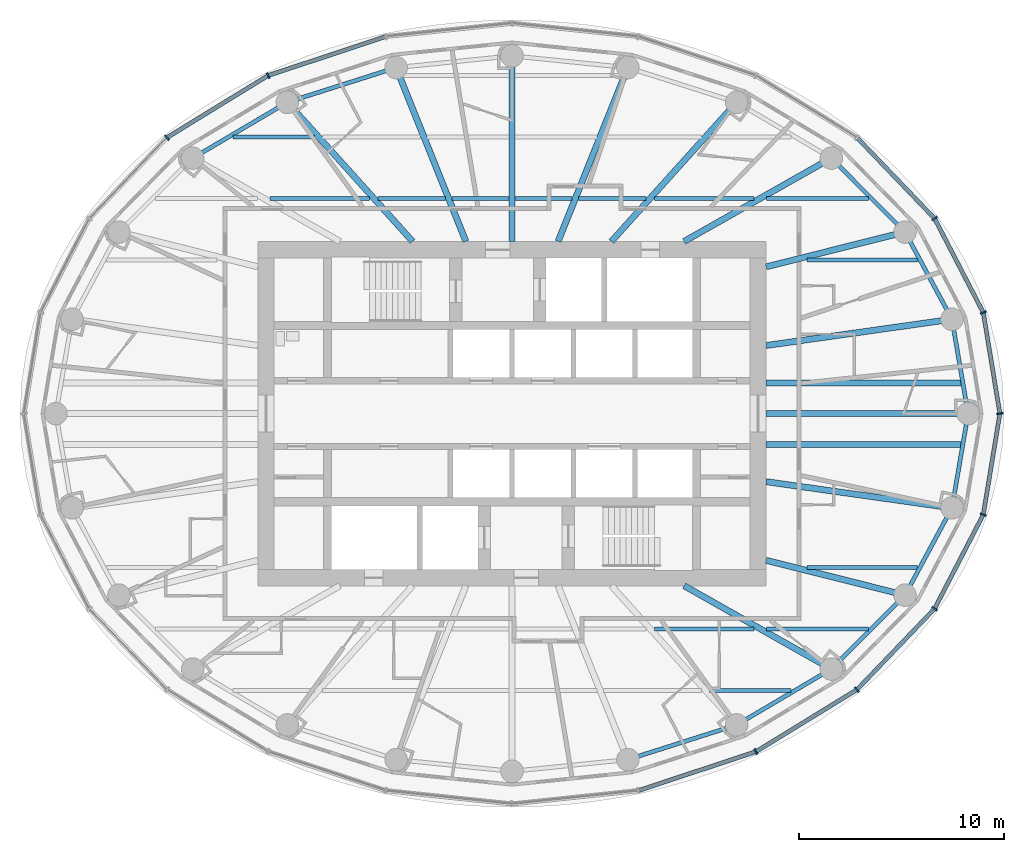
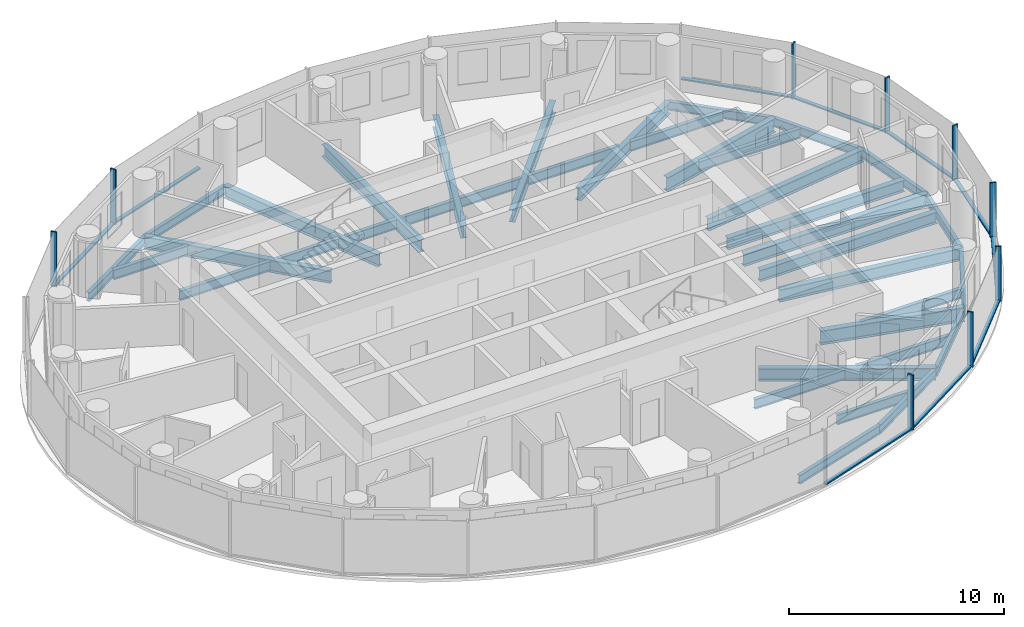
# One storey, part 3 of 14: 37 beams, 19 members, 3 elements without a shape of their own.
"""IFC4 building model written with IfcOpenShell, lengths in metres."""

from ifc_helpers import new_model, si_unit, direction, frame, origin, origin_2d, place, context, subcontext, project, spatial, rectangle, i_section, extrude, material, material_profile, profile_set, type_object, element, aggregate, save


model = new_model("IFC4")

# Units and contexts
model_context = context("Model", 3, precision=1e-05, world=origin(), true_north=direction((0.0, 1.0)))
body_context = subcontext(model_context, "Body", "Model", "MODEL_VIEW")
ifc_project = project(units=[si_unit("LENGTHUNIT", "METRE"), si_unit("AREAUNIT", "SQUARE_METRE"), si_unit("VOLUMEUNIT", "CUBIC_METRE"), si_unit("PLANEANGLEUNIT", "RADIAN"), si_unit("MASSUNIT", "GRAM", prefix="KILO")], contexts=[model_context])

# Site, building, storey
site_placement = place(None, origin())
site = spatial("IfcSite", under=ifc_project, at=site_placement, CompositionType="ELEMENT")
building_placement = place(site_placement, origin())
building = spatial("IfcBuilding", under=site, at=building_placement, Name="Hankou Lantern Tower", CompositionType="ELEMENT")
storey_placement = place(building_placement, frame((0.0, 0.0, 176.39990234375)))
storey = spatial("IfcBuildingStorey", under=building, at=storey_placement, Name="L47", CompositionType="ELEMENT", Elevation=176.39990234375)

# Beams
ifc_material_1 = material(Name="Steel Q355B", Category="steel")
ifc_material_profile_1 = material_profile(ifc_material_1, i_section(OverallWidth=0.199951171875, OverallDepth=0.5, WebThickness=0.010009765625, FlangeThickness=0.01611328125, FilletRadius=0.012939453125, at=origin_2d()), Name="HN500x200x10x16")
ifc_profile_set_1 = profile_set([ifc_material_profile_1], Name="Steel Q355B")
beam_type_1 = type_object("IfcBeamType", Name="EB5 RING BEAM HN500x200x10x16", PredefinedType="SPANDREL", material=ifc_profile_set_1)
beam_1_placement = place(storey_placement, frame((22.25, 0.0, -0.429931640625), z_axis=(-0.168680718946, 0.985670743735, 0.0), x_axis=(-0.985670743735, -0.168680718946, 0.0)))
element("IfcBeam", 1, at=beam_1_placement, inside=storey, type_object=beam_type_1, Name="Ring beam R01-R02 L47", PredefinedType="SPANDREL", context=body_context, shape_type="SweptSolid", body=[
    extrude(i_section(OverallWidth=0.199951171875, OverallDepth=0.5, WebThickness=0.010009765625, FlangeThickness=0.01611328125, FilletRadius=0.012939453125, at=origin_2d()), origin(), (0.0, 0.0, 1.0), 4.667724609375),
])
beam_2_placement = place(storey_placement, frame((21.462646484375, 4.600830078125, -0.429931640625), z_axis=(-0.474051612334, 0.880497057828, 0.0), x_axis=(-0.880497057828, -0.474051612334, 0.0)))
element("IfcBeam", 2, at=beam_2_placement, inside=storey, type_object=beam_type_1, Name="Ring beam R02-R03 L47", PredefinedType="SPANDREL", context=body_context, shape_type="SweptSolid", body=[
    extrude(i_section(OverallWidth=0.199951171875, OverallDepth=0.5, WebThickness=0.010009765625, FlangeThickness=0.01611328125, FilletRadius=0.012939453125, at=origin_2d()), origin(), (0.0, 0.0, 1.0), 4.831787109375),
])
beam_3_placement = place(storey_placement, frame((19.172119140625, 8.855224609375, -0.429931640625), z_axis=(-0.706147278092, 0.708064984054, 0.0), x_axis=(-0.708064984054, -0.706147278092, 0.0)))
element("IfcBeam", 3, at=beam_3_placement, inside=storey, type_object=beam_type_1, Name="Ring beam R03-R04 L47", PredefinedType="SPANDREL", context=body_context, shape_type="SweptSolid", body=[
    extrude(i_section(OverallWidth=0.199951171875, OverallDepth=0.5, WebThickness=0.010009765625, FlangeThickness=0.01611328125, FilletRadius=0.012939453125, at=origin_2d()), origin(), (0.0, 0.0, 1.0), 5.09228515625),
])
beam_4_placement = place(storey_placement, frame((-5.65283203125, 16.87744140625, -0.429931640625), z_axis=(-0.952790404271, -0.30362879562, 0.0), x_axis=(0.30362879562, -0.952790404271, 0.0)))
element("IfcBeam", 4, at=beam_4_placement, inside=storey, type_object=beam_type_1, Name="Ring beam R08-R09 L47", PredefinedType="SPANDREL", context=body_context, shape_type="SweptSolid", body=[
    extrude(i_section(OverallWidth=0.199951171875, OverallDepth=0.5, WebThickness=0.010009765625, FlangeThickness=0.01611328125, FilletRadius=0.012939453125, at=origin_2d()), origin(), (0.0, 0.0, 1.0), 5.56982421875),
])
beam_5_placement = place(storey_placement, frame((-10.959716796875, 15.186279296875, -0.429931640625), z_axis=(-0.861135888339, -0.508374843806, 0.0), x_axis=(0.508374843806, -0.861135888339, 0.0)))
element("IfcBeam", 5, at=beam_5_placement, inside=storey, type_object=beam_type_1, Name="Ring beam R09-R10 L47", PredefinedType="SPANDREL", context=body_context, shape_type="SweptSolid", body=[
    extrude(i_section(OverallWidth=0.199951171875, OverallDepth=0.5, WebThickness=0.010009765625, FlangeThickness=0.01611328125, FilletRadius=0.012939453125, at=origin_2d()), origin(), (0.0, 0.0, 1.0), 5.36083984375),
])
beam_6_placement = place(storey_placement, frame((5.65283203125, -16.87744140625, -0.429931640625), z_axis=(0.952790404271, 0.30362879562, 0.0), x_axis=(-0.30362879562, 0.952790404271, 0.0)))
element("IfcBeam", 6, at=beam_6_placement, inside=storey, type_object=beam_type_1, Name="Ring beam R20-R21 L47", PredefinedType="SPANDREL", context=body_context, shape_type="SweptSolid", body=[
    extrude(i_section(OverallWidth=0.199951171875, OverallDepth=0.5, WebThickness=0.010009765625, FlangeThickness=0.01611328125, FilletRadius=0.012939453125, at=origin_2d()), origin(), (0.0, 0.0, 1.0), 5.56982421875),
])
beam_7_placement = place(storey_placement, frame((10.959716796875, -15.186279296875, -0.429931640625), z_axis=(0.861135888339, 0.508374843806, 0.0), x_axis=(-0.508374843806, 0.861135888339, 0.0)))
element("IfcBeam", 7, at=beam_7_placement, inside=storey, type_object=beam_type_1, Name="Ring beam R21-R22 L47", PredefinedType="SPANDREL", context=body_context, shape_type="SweptSolid", body=[
    extrude(i_section(OverallWidth=0.199951171875, OverallDepth=0.5, WebThickness=0.010009765625, FlangeThickness=0.01611328125, FilletRadius=0.012939453125, at=origin_2d()), origin(), (0.0, 0.0, 1.0), 5.36083984375),
])
beam_8_placement = place(storey_placement, frame((15.576171875, -12.4609375, -0.429931640625), z_axis=(0.706147278092, 0.708064984054, 0.0), x_axis=(-0.708064984054, 0.706147278092, 0.0)))
element("IfcBeam", 8, at=beam_8_placement, inside=storey, type_object=beam_type_1, Name="Ring beam R22-R23 L47", PredefinedType="SPANDREL", context=body_context, shape_type="SweptSolid", body=[
    extrude(i_section(OverallWidth=0.199951171875, OverallDepth=0.5, WebThickness=0.010009765625, FlangeThickness=0.01611328125, FilletRadius=0.012939453125, at=origin_2d()), origin(), (0.0, 0.0, 1.0), 5.09228515625),
])
beam_9_placement = place(storey_placement, frame((19.172119140625, -8.855224609375, -0.429931640625), z_axis=(0.474051612334, 0.880497057828, 0.0), x_axis=(-0.880497057828, 0.474051612334, 0.0)))
element("IfcBeam", 9, at=beam_9_placement, inside=storey, type_object=beam_type_1, Name="Ring beam R23-R24 L47", PredefinedType="SPANDREL", context=body_context, shape_type="SweptSolid", body=[
    extrude(i_section(OverallWidth=0.199951171875, OverallDepth=0.5, WebThickness=0.010009765625, FlangeThickness=0.01611328125, FilletRadius=0.012939453125, at=origin_2d()), origin(), (0.0, 0.0, 1.0), 4.831787109375),
])
beam_10_placement = place(storey_placement, frame((21.462646484375, -4.600830078125, -0.429931640625), z_axis=(0.168680718946, 0.985670743735, 0.0), x_axis=(-0.985670743735, 0.168680718946, 0.0)))
element("IfcBeam", 10, at=beam_10_placement, inside=storey, type_object=beam_type_1, Name="Ring beam R24-R01 L47", PredefinedType="SPANDREL", context=body_context, shape_type="SweptSolid", body=[
    extrude(i_section(OverallWidth=0.199951171875, OverallDepth=0.5, WebThickness=0.010009765625, FlangeThickness=0.01611328125, FilletRadius=0.012939453125, at=origin_2d()), origin(), (0.0, 0.0, 1.0), 4.667724609375),
])

# Curtain wall, members
ifc_material_2 = material(Name="Glass, dark grey tinted laminated", Category="glass")
curtain_wall_type = type_object("IfcCurtainWallType", Name="CWC OUTER SKIN HIGH-RISE", PredefinedType="USERDEFINED", material=ifc_material_2)
curtain_wall_1_placement = place(storey_placement, origin())
curtain_wall_1 = element("IfcCurtainWall", 11, at=curtain_wall_1_placement, inside=storey, type_object=curtain_wall_type, Name="CWC L47 OS1", ObjectType="OUTER SKIN HIGH-RISE", PredefinedType="USERDEFINED")
ifc_material_3 = material(Name="Aluminium, black anodised", Category="aluminium")
ifc_material_profile_2 = material_profile(ifc_material_3, rectangle(XDim=0.080078125, YDim=0.300048828125, at=origin_2d()), Name="MU1 80X300")
ifc_profile_set_2 = profile_set([ifc_material_profile_2], Name="Aluminium, black anodised")
member_type_1 = type_object("IfcMemberType", Name="MU1 OUTER SKIN MULLION 80X300", PredefinedType="MULLION", material=ifc_profile_set_2)
member_1_placement = place(storey_placement, frame((23.800048828125, 0.0, 0.0), z_axis=(0.0, 0.0, 1.0), x_axis=(-0.162381515188, 0.986728049427, 0.0)))
member_1 = element("IfcMember", 12, at=member_1_placement, type_object=member_type_1, Name="CWC mullion 1", PredefinedType="MULLION", context=body_context, shape_type="SweptSolid", body=[
    extrude(rectangle(XDim=0.080078125, YDim=0.300048828125, at=origin_2d()), origin(), (0.0, 0.0, 1.0), 3.1201171875),
])
member_2_placement = place(storey_placement, frame((22.989013671875, 4.927978515625, 0.0), z_axis=(0.0, 0.0, 1.0), x_axis=(-0.317595577365, 0.94822626479, 0.0)))
member_2 = element("IfcMember", 13, at=member_2_placement, type_object=member_type_1, Name="CWC mullion 2", PredefinedType="MULLION", context=body_context, shape_type="SweptSolid", body=[
    extrude(rectangle(XDim=0.080078125, YDim=0.300048828125, at=origin_2d()), origin(), (0.0, 0.0, 1.0), 3.1201171875),
])
member_3_placement = place(storey_placement, frame((20.611328125, 9.52001953125, 0.0), z_axis=(0.0, 0.0, 1.0), x_axis=(-0.585205735974, 0.810884854084, 0.0)))
member_3 = element("IfcMember", 14, at=member_3_placement, type_object=member_type_1, Name="CWC mullion 3", PredefinedType="MULLION", context=body_context, shape_type="SweptSolid", body=[
    extrude(rectangle(XDim=0.080078125, YDim=0.300048828125, at=origin_2d()), origin(), (0.0, 0.0, 1.0), 3.1201171875),
])

curtain_wall_2_placement = place(storey_placement, origin())
curtain_wall_2 = element("IfcCurtainWall", 15, at=curtain_wall_2_placement, inside=storey, type_object=curtain_wall_type, Name="CWC L47 OS2", ObjectType="OUTER SKIN HIGH-RISE", PredefinedType="USERDEFINED")
member_4_placement = place(storey_placement, frame((-11.89990234375, 16.489013671875, 0.0), z_axis=(0.0, 0.0, 1.0), x_axis=(-0.907841299004, -0.419313934686, 0.0)))
member_4 = element("IfcMember", 16, at=member_4_placement, type_object=member_type_1, Name="CWC mullion 3", PredefinedType="MULLION", context=body_context, shape_type="SweptSolid", body=[
    extrude(rectangle(XDim=0.080078125, YDim=0.300048828125, at=origin_2d()), origin(), (0.0, 0.0, 1.0), 3.1201171875),
])
member_5_placement = place(storey_placement, frame((-16.8291015625, 13.46337890625, 0.0), z_axis=(0.0, 0.0, 1.0), x_axis=(-0.780868809444, -0.624695047553, 0.0)))
member_5 = element("IfcMember", 17, at=member_5_placement, type_object=member_type_1, Name="CWC mullion 4", PredefinedType="MULLION", context=body_context, shape_type="SweptSolid", body=[
    extrude(rectangle(XDim=0.080078125, YDim=0.300048828125, at=origin_2d()), origin(), (0.0, 0.0, 1.0), 3.1201171875),
])

curtain_wall_3_placement = place(storey_placement, origin())
curtain_wall_3 = element("IfcCurtainWall", 18, at=curtain_wall_3_placement, inside=storey, type_object=curtain_wall_type, Name="CWC L47 OS4", ObjectType="OUTER SKIN HIGH-RISE", PredefinedType="USERDEFINED")
member_6_placement = place(storey_placement, frame((11.89990234375, -16.489013671875, 0.0), z_axis=(0.0, 0.0, 1.0), x_axis=(0.907841299004, 0.419313934686, 0.0)))
member_6 = element("IfcMember", 19, at=member_6_placement, type_object=member_type_1, Name="CWC mullion 3", PredefinedType="MULLION", context=body_context, shape_type="SweptSolid", body=[
    extrude(rectangle(XDim=0.080078125, YDim=0.300048828125, at=origin_2d()), origin(), (0.0, 0.0, 1.0), 3.1201171875),
])
member_7_placement = place(storey_placement, frame((16.8291015625, -13.46337890625, 0.0), z_axis=(0.0, 0.0, 1.0), x_axis=(0.780868809444, 0.624695047553, 0.0)))
member_7 = element("IfcMember", 20, at=member_7_placement, type_object=member_type_1, Name="CWC mullion 4", PredefinedType="MULLION", context=body_context, shape_type="SweptSolid", body=[
    extrude(rectangle(XDim=0.080078125, YDim=0.300048828125, at=origin_2d()), origin(), (0.0, 0.0, 1.0), 3.1201171875),
])
member_8_placement = place(storey_placement, frame((20.611328125, -9.52001953125, 0.0), z_axis=(0.0, 0.0, 1.0), x_axis=(0.585205735974, 0.810884854084, 0.0)))
member_8 = element("IfcMember", 21, at=member_8_placement, type_object=member_type_1, Name="CWC mullion 5", PredefinedType="MULLION", context=body_context, shape_type="SweptSolid", body=[
    extrude(rectangle(XDim=0.080078125, YDim=0.300048828125, at=origin_2d()), origin(), (0.0, 0.0, 1.0), 3.1201171875),
])
member_9_placement = place(storey_placement, frame((22.989013671875, -4.927978515625, 0.0), z_axis=(0.0, 0.0, 1.0), x_axis=(0.317595577365, 0.94822626479, 0.0)))
member_9 = element("IfcMember", 22, at=member_9_placement, type_object=member_type_1, Name="CWC mullion 6", PredefinedType="MULLION", context=body_context, shape_type="SweptSolid", body=[
    extrude(rectangle(XDim=0.080078125, YDim=0.300048828125, at=origin_2d()), origin(), (0.0, 0.0, 1.0), 3.1201171875),
])

# Beams
ifc_material_4 = material(Name="Steel Q355B", Category="steel")
ifc_material_profile_3 = material_profile(ifc_material_4, i_section(OverallWidth=0.300048828125, OverallDepth=0.800048828125, WebThickness=0.013916015625, FlangeThickness=0.02587890625, FilletRadius=0.01806640625, at=origin_2d()), Name="HN800x300x14x26")
ifc_profile_set_3 = profile_set([ifc_material_profile_3], Name="Steel Q355B")
beam_type_2 = type_object("IfcBeamType", Name="RB11 RADIAL BEAM HN800x300x14x26", PredefinedType="BEAM", material=ifc_profile_set_3)
for number, where, z_axis, x_axis, name in (
    (23, (12.39990234375, 7.1591796875, -0.579833984375), (0.970041619568, 0.242938791274, 0.0), (-0.242938791274, 0.970041619568, 0.0), "Radial beam R03 L47"),
    (24, (12.39990234375, -7.1591796875, -0.579833984375), (0.970041619568, -0.242938791274, 0.0), (0.242938791274, 0.970041619568, 0.0), "Radial beam R23 L47"),
):
    element("IfcBeam", number, at=place(storey_placement, frame(where, z_axis=z_axis, x_axis=x_axis)), inside=storey, type_object=beam_type_2, Name=name, PredefinedType="BEAM", context=body_context, shape_type="SweptSolid", body=[
        extrude(i_section(OverallWidth=0.300048828125, OverallDepth=0.800048828125, WebThickness=0.013916015625, FlangeThickness=0.02587890625, FilletRadius=0.01806640625, at=origin_2d()), origin(), (0.0, 0.0, 1.0), 6.9814453125),
    ])
ifc_material_5 = material(Name="Steel Q355B", Category="steel")
ifc_material_profile_4 = material_profile(ifc_material_5, i_section(OverallWidth=0.300048828125, OverallDepth=0.699951171875, WebThickness=0.012939453125, FlangeThickness=0.02392578125, FilletRadius=0.01806640625, at=origin_2d()), Name="HN700x300x13x24")
ifc_profile_set_4 = profile_set([ifc_material_profile_4], Name="Steel Q355B")
beam_type_3 = type_object("IfcBeamType", Name="RB9 RADIAL BEAM HN700x300x13x24", PredefinedType="BEAM", material=ifc_profile_set_4)
beam_11_placement = place(storey_placement, frame((12.39990234375, 0.0, -0.52978515625), z_axis=(1.0, 0.0, 0.0), x_axis=(0.0, 1.0, 0.0)))
element("IfcBeam", 25, at=beam_11_placement, inside=storey, type_object=beam_type_3, Name="Radial beam R01 L47", PredefinedType="BEAM", context=body_context, shape_type="SweptSolid", body=[
    extrude(i_section(OverallWidth=0.300048828125, OverallDepth=0.699951171875, WebThickness=0.012939453125, FlangeThickness=0.02392578125, FilletRadius=0.01806640625, at=origin_2d()), origin(), (0.0, 0.0, 1.0), 9.85009765625),
])
beam_12_placement = place(storey_placement, frame((12.39990234375, 3.322509765625, -0.52978515625), z_axis=(0.990198154617, 0.13966966239, 0.0), x_axis=(-0.13966966239, 0.990198154617, 0.0)))
element("IfcBeam", 26, at=beam_12_placement, inside=storey, type_object=beam_type_3, Name="Radial beam R02 L47", PredefinedType="BEAM", context=body_context, shape_type="SweptSolid", body=[
    extrude(i_section(OverallWidth=0.300048828125, OverallDepth=0.699951171875, WebThickness=0.012939453125, FlangeThickness=0.02392578125, FilletRadius=0.01806640625, at=origin_2d()), origin(), (0.0, 0.0, 1.0), 9.15234375),
])
beam_13_placement = place(storey_placement, frame((8.39990234375, 8.39990234375, -0.52978515625), z_axis=(0.870309058024, 0.492505983234, 0.0), x_axis=(-0.492505983234, 0.870309058024, 0.0)))
element("IfcBeam", 27, at=beam_13_placement, inside=storey, type_object=beam_type_3, Name="Radial beam R04 L47", PredefinedType="BEAM", context=body_context, shape_type="SweptSolid", body=[
    extrude(i_section(OverallWidth=0.300048828125, OverallDepth=0.699951171875, WebThickness=0.012939453125, FlangeThickness=0.02392578125, FilletRadius=0.01806640625, at=origin_2d()), origin(), (0.0, 0.0, 1.0), 8.24560546875),
])
beam_14_placement = place(storey_placement, frame((4.849853515625, 8.39990234375, -0.52978515625), z_axis=(0.669093231314, 0.743178476418, 0.0), x_axis=(-0.743178476418, 0.669093231314, 0.0)))
element("IfcBeam", 28, at=beam_14_placement, inside=storey, type_object=beam_type_3, Name="Radial beam R05 L47", PredefinedType="BEAM", context=body_context, shape_type="SweptSolid", body=[
    extrude(i_section(OverallWidth=0.300048828125, OverallDepth=0.699951171875, WebThickness=0.012939453125, FlangeThickness=0.02392578125, FilletRadius=0.01806640625, at=origin_2d()), origin(), (0.0, 0.0, 1.0), 9.131591796875),
])
beam_15_placement = place(storey_placement, frame((2.250732421875, 8.39990234375, -0.52978515625), z_axis=(0.372436468133, 0.928057690666, 0.0), x_axis=(-0.928057690666, 0.372436468133, 0.0)))
element("IfcBeam", 29, at=beam_15_placement, inside=storey, type_object=beam_type_3, Name="Radial beam R06 L47", PredefinedType="BEAM", context=body_context, shape_type="SweptSolid", body=[
    extrude(i_section(OverallWidth=0.300048828125, OverallDepth=0.699951171875, WebThickness=0.012939453125, FlangeThickness=0.02392578125, FilletRadius=0.01806640625, at=origin_2d()), origin(), (0.0, 0.0, 1.0), 9.134765625),
])
beam_16_placement = place(storey_placement, frame((0.0, 8.39990234375, -0.52978515625), z_axis=(0.0, 1.0, 0.0), x_axis=(-1.0, 0.0, 0.0)))
element("IfcBeam", 30, at=beam_16_placement, inside=storey, type_object=beam_type_3, Name="Radial beam R07 L47", PredefinedType="BEAM", context=body_context, shape_type="SweptSolid", body=[
    extrude(i_section(OverallWidth=0.300048828125, OverallDepth=0.699951171875, WebThickness=0.012939453125, FlangeThickness=0.02392578125, FilletRadius=0.01806640625, at=origin_2d()), origin(), (0.0, 0.0, 1.0), 9.050048828125),
])
beam_17_placement = place(storey_placement, frame((-2.250732421875, 8.39990234375, -0.52978515625), z_axis=(-0.372436468133, 0.928057690666, 0.0), x_axis=(-0.928057690666, -0.372436468133, 0.0)))
element("IfcBeam", 31, at=beam_17_placement, inside=storey, type_object=beam_type_3, Name="Radial beam R08 L47", PredefinedType="BEAM", context=body_context, shape_type="SweptSolid", body=[
    extrude(i_section(OverallWidth=0.300048828125, OverallDepth=0.699951171875, WebThickness=0.012939453125, FlangeThickness=0.02392578125, FilletRadius=0.01806640625, at=origin_2d()), origin(), (0.0, 0.0, 1.0), 9.134765625),
])
beam_18_placement = place(storey_placement, frame((-4.849853515625, 8.39990234375, -0.52978515625), z_axis=(-0.669093231314, 0.743178476418, 0.0), x_axis=(-0.743178476418, -0.669093231314, 0.0)))
element("IfcBeam", 32, at=beam_18_placement, inside=storey, type_object=beam_type_3, Name="Radial beam R09 L47", PredefinedType="BEAM", context=body_context, shape_type="SweptSolid", body=[
    extrude(i_section(OverallWidth=0.300048828125, OverallDepth=0.699951171875, WebThickness=0.012939453125, FlangeThickness=0.02392578125, FilletRadius=0.01806640625, at=origin_2d()), origin(), (0.0, 0.0, 1.0), 9.131591796875),
])
beam_19_placement = place(storey_placement, frame((8.39990234375, -8.39990234375, -0.52978515625), z_axis=(0.870309058024, -0.492505983234, 0.0), x_axis=(0.492505983234, 0.870309058024, 0.0)))
element("IfcBeam", 33, at=beam_19_placement, inside=storey, type_object=beam_type_3, Name="Radial beam R22 L47", PredefinedType="BEAM", context=body_context, shape_type="SweptSolid", body=[
    extrude(i_section(OverallWidth=0.300048828125, OverallDepth=0.699951171875, WebThickness=0.012939453125, FlangeThickness=0.02392578125, FilletRadius=0.01806640625, at=origin_2d()), origin(), (0.0, 0.0, 1.0), 8.24560546875),
])
beam_20_placement = place(storey_placement, frame((12.39990234375, -3.322509765625, -0.52978515625), z_axis=(0.990198154617, -0.13966966239, 0.0), x_axis=(0.13966966239, 0.990198154617, 0.0)))
element("IfcBeam", 34, at=beam_20_placement, inside=storey, type_object=beam_type_3, Name="Radial beam R24 L47", PredefinedType="BEAM", context=body_context, shape_type="SweptSolid", body=[
    extrude(i_section(OverallWidth=0.300048828125, OverallDepth=0.699951171875, WebThickness=0.012939453125, FlangeThickness=0.02392578125, FilletRadius=0.01806640625, at=origin_2d()), origin(), (0.0, 0.0, 1.0), 9.15234375),
])
ifc_material_6 = material(Name="Steel Q355B", Category="steel")
ifc_material_profile_5 = material_profile(ifc_material_6, i_section(OverallWidth=0.199951171875, OverallDepth=0.550048828125, WebThickness=0.010009765625, FlangeThickness=0.01611328125, FilletRadius=0.012939453125, at=origin_2d()), Name="HN550x200x10x16")
ifc_profile_set_5 = profile_set([ifc_material_profile_5], Name="Steel Q355B")
beam_type_4 = type_object("IfcBeamType", Name="SB6 SECONDARY BEAM HN550x200x10x16", PredefinedType="JOIST", material=ifc_profile_set_5)
beam_21_placement = place(storey_placement, frame((9.643310546875, -13.5, -0.454833984375), z_axis=(1.0, 0.0, 0.0), x_axis=(0.0, 1.0, 0.0)))
element("IfcBeam", 35, at=beam_21_placement, inside=storey, type_object=beam_type_4, Name="Floor joist J006 L47", PredefinedType="JOIST", context=body_context, shape_type="SweptSolid", body=[
    extrude(i_section(OverallWidth=0.199951171875, OverallDepth=0.550048828125, WebThickness=0.010009765625, FlangeThickness=0.01611328125, FilletRadius=0.012939453125, at=origin_2d()), origin(), (0.0, 0.0, 1.0), 3.97607421875),
])
beam_22_placement = place(storey_placement, frame((6.9423828125, -10.5, -0.454833984375), z_axis=(1.0, 0.0, 0.0), x_axis=(0.0, 1.0, 0.0)))
element("IfcBeam", 36, at=beam_22_placement, inside=storey, type_object=beam_type_4, Name="Floor joist J013 L47", PredefinedType="JOIST", context=body_context, shape_type="SweptSolid", body=[
    extrude(i_section(OverallWidth=0.199951171875, OverallDepth=0.550048828125, WebThickness=0.010009765625, FlangeThickness=0.01611328125, FilletRadius=0.012939453125, at=origin_2d()), origin(), (0.0, 0.0, 1.0), 4.864013671875),
])
beam_23_placement = place(storey_placement, frame((12.41552734375, -10.5, -0.454833984375), z_axis=(1.0, 0.0, 0.0), x_axis=(0.0, 1.0, 0.0)))
element("IfcBeam", 37, at=beam_23_placement, inside=storey, type_object=beam_type_4, Name="Floor joist J014 L47", PredefinedType="JOIST", context=body_context, shape_type="SweptSolid", body=[
    extrude(i_section(OverallWidth=0.199951171875, OverallDepth=0.550048828125, WebThickness=0.010009765625, FlangeThickness=0.01611328125, FilletRadius=0.012939453125, at=origin_2d()), origin(), (0.0, 0.0, 1.0), 4.97509765625),
])
for number, where, z_axis, x_axis, name in (
    (38, (14.37841796875, -7.5, -0.454833984375), (1.0, 0.0, 0.0), (0.0, 1.0, 0.0), "Floor joist J016 L47"),
    (39, (14.37841796875, 7.5, -0.454833984375), (1.0, 0.0, 0.0), (0.0, 1.0, 0.0), "Floor joist J026 L47"),
):
    element("IfcBeam", number, at=place(storey_placement, frame(where, z_axis=z_axis, x_axis=x_axis)), inside=storey, type_object=beam_type_4, Name=name, PredefinedType="JOIST", context=body_context, shape_type="SweptSolid", body=[
        extrude(i_section(OverallWidth=0.199951171875, OverallDepth=0.550048828125, WebThickness=0.010009765625, FlangeThickness=0.01611328125, FilletRadius=0.012939453125, at=origin_2d()), origin(), (0.0, 0.0, 1.0), 5.409912109375),
    ])
beam_24_placement = place(storey_placement, frame((-11.806396484375, 10.5, -0.454833984375), z_axis=(1.0, 0.0, 0.0), x_axis=(0.0, 1.0, 0.0)))
element("IfcBeam", 40, at=beam_24_placement, inside=storey, type_object=beam_type_4, Name="Floor joist J028 L47", PredefinedType="JOIST", context=body_context, shape_type="SweptSolid", body=[
    extrude(i_section(OverallWidth=0.199951171875, OverallDepth=0.550048828125, WebThickness=0.010009765625, FlangeThickness=0.01611328125, FilletRadius=0.012939453125, at=origin_2d()), origin(), (0.0, 0.0, 1.0), 4.864013671875),
])
beam_25_placement = place(storey_placement, frame((-6.53857421875, 10.5, -0.454833984375), z_axis=(1.0, 0.0, 0.0), x_axis=(0.0, 1.0, 0.0)))
element("IfcBeam", 41, at=beam_25_placement, inside=storey, type_object=beam_type_4, Name="Floor joist J029 L47", PredefinedType="JOIST", context=body_context, shape_type="SweptSolid", body=[
    extrude(i_section(OverallWidth=0.199951171875, OverallDepth=0.550048828125, WebThickness=0.010009765625, FlangeThickness=0.01611328125, FilletRadius=0.012939453125, at=origin_2d()), origin(), (0.0, 0.0, 1.0), 3.283447265625),
])
for number, where, z_axis, x_axis, name in (
    (42, (-2.931884765625, 10.5, -0.454833984375), (1.0, 0.0, 0.0), (0.0, 1.0, 0.0), "Floor joist J030 L47"),
    (43, (0.14990234375, 10.5, -0.454833984375), (1.0, 0.0, 0.0), (0.0, 1.0, 0.0), "Floor joist J031 L47"),
):
    element("IfcBeam", number, at=place(storey_placement, frame(where, z_axis=z_axis, x_axis=x_axis)), inside=storey, type_object=beam_type_4, Name=name, PredefinedType="JOIST", context=body_context, shape_type="SweptSolid", body=[
        extrude(i_section(OverallWidth=0.199951171875, OverallDepth=0.550048828125, WebThickness=0.010009765625, FlangeThickness=0.01611328125, FilletRadius=0.012939453125, at=origin_2d()), origin(), (0.0, 0.0, 1.0), 2.781982421875),
    ])
beam_26_placement = place(storey_placement, frame((3.255126953125, 10.5, -0.454833984375), z_axis=(1.0, 0.0, 0.0), x_axis=(0.0, 1.0, 0.0)))
element("IfcBeam", 44, at=beam_26_placement, inside=storey, type_object=beam_type_4, Name="Floor joist J032 L47", PredefinedType="JOIST", context=body_context, shape_type="SweptSolid", body=[
    extrude(i_section(OverallWidth=0.199951171875, OverallDepth=0.550048828125, WebThickness=0.010009765625, FlangeThickness=0.01611328125, FilletRadius=0.012939453125, at=origin_2d()), origin(), (0.0, 0.0, 1.0), 3.283447265625),
])
beam_27_placement = place(storey_placement, frame((6.9423828125, 10.5, -0.454833984375), z_axis=(1.0, 0.0, 0.0), x_axis=(0.0, 1.0, 0.0)))
element("IfcBeam", 45, at=beam_27_placement, inside=storey, type_object=beam_type_4, Name="Floor joist J033 L47", PredefinedType="JOIST", context=body_context, shape_type="SweptSolid", body=[
    extrude(i_section(OverallWidth=0.199951171875, OverallDepth=0.550048828125, WebThickness=0.010009765625, FlangeThickness=0.01611328125, FilletRadius=0.012939453125, at=origin_2d()), origin(), (0.0, 0.0, 1.0), 4.864013671875),
])
beam_28_placement = place(storey_placement, frame((12.41552734375, 10.5, -0.454833984375), z_axis=(1.0, 0.0, 0.0), x_axis=(0.0, 1.0, 0.0)))
element("IfcBeam", 46, at=beam_28_placement, inside=storey, type_object=beam_type_4, Name="Floor joist J034 L47", PredefinedType="JOIST", context=body_context, shape_type="SweptSolid", body=[
    extrude(i_section(OverallWidth=0.199951171875, OverallDepth=0.550048828125, WebThickness=0.010009765625, FlangeThickness=0.01611328125, FilletRadius=0.012939453125, at=origin_2d()), origin(), (0.0, 0.0, 1.0), 4.97509765625),
])
beam_29_placement = place(storey_placement, frame((-13.619384765625, 13.5, -0.454833984375), z_axis=(1.0, 0.0, 0.0), x_axis=(0.0, 1.0, 0.0)))
element("IfcBeam", 47, at=beam_29_placement, inside=storey, type_object=beam_type_4, Name="Floor joist J035 L47", PredefinedType="JOIST", context=body_context, shape_type="SweptSolid", body=[
    extrude(i_section(OverallWidth=0.199951171875, OverallDepth=0.550048828125, WebThickness=0.010009765625, FlangeThickness=0.01611328125, FilletRadius=0.012939453125, at=origin_2d()), origin(), (0.0, 0.0, 1.0), 3.97607421875),
])
ifc_material_7 = material(Name="Steel Q355B", Category="steel")
ifc_material_profile_6 = material_profile(ifc_material_7, i_section(OverallWidth=0.300048828125, OverallDepth=0.64990234375, WebThickness=0.010986328125, FlangeThickness=0.01708984375, FilletRadius=0.01806640625, at=origin_2d()), Name="HN650x300x11x17")
ifc_profile_set_6 = profile_set([ifc_material_profile_6], Name="Steel Q355B")
beam_type_5 = type_object("IfcBeamType", Name="SB8 SECONDARY BEAM HN650x300x11x17", PredefinedType="JOIST", material=ifc_profile_set_6)
for number, where, z_axis, x_axis, name in (
    (48, (12.39990234375, -1.5, -0.5048828125), (1.0, 0.0, 0.0), (0.0, 1.0, 0.0), "Floor joist J020 L47"),
    (49, (12.39990234375, 1.5, -0.5048828125), (1.0, 0.0, 0.0), (0.0, 1.0, 0.0), "Floor joist J022 L47"),
):
    element("IfcBeam", number, at=place(storey_placement, frame(where, z_axis=z_axis, x_axis=x_axis)), inside=storey, type_object=beam_type_5, Name=name, PredefinedType="JOIST", context=body_context, shape_type="SweptSolid", body=[
        extrude(i_section(OverallWidth=0.300048828125, OverallDepth=0.64990234375, WebThickness=0.010986328125, FlangeThickness=0.01708984375, FilletRadius=0.01806640625, at=origin_2d()), origin(), (0.0, 0.0, 1.0), 9.491943359375),
    ])

# Member
ifc_material_8 = material(Name="Aluminium, black anodised", Category="aluminium")
ifc_material_profile_7 = material_profile(ifc_material_8, rectangle(XDim=0.199951171875, YDim=0.080078125, at=origin_2d()), Name="TR1 200X80")
ifc_profile_set_7 = profile_set([ifc_material_profile_7], Name="Aluminium, black anodised")
member_type_2 = type_object("IfcMemberType", Name="TR1 OUTER SKIN TRANSOM 200X80", PredefinedType="USERDEFINED", material=ifc_profile_set_7)
member_10_placement = place(storey_placement, frame((23.79345703125, 0.03955078125, 0.0400390625), z_axis=(-0.162360337061, 0.986731534385, 0.0), x_axis=(-0.986731534385, -0.162360337061, 0.0)))
member_10 = element("IfcMember", 50, at=member_10_placement, type_object=member_type_2, Name="CWC transom 1", ObjectType="TRANSOM", PredefinedType="USERDEFINED", context=body_context, shape_type="SweptSolid", body=[
    extrude(rectangle(XDim=0.199951171875, YDim=0.080078125, at=origin_2d()), origin(), (0.0, 0.0, 1.0), 4.9140625),
])

member_11_placement = place(storey_placement, frame((22.970703125, 4.96337890625, 0.0400390625), z_axis=(-0.459790772977, 0.888027277219, 0.0), x_axis=(-0.888027277219, -0.459790772977, 0.0)))
member_11 = element("IfcMember", 51, at=member_11_placement, type_object=member_type_2, Name="CWC transom 2", ObjectType="TRANSOM", PredefinedType="USERDEFINED", context=body_context, shape_type="SweptSolid", body=[
    extrude(rectangle(XDim=0.199951171875, YDim=0.080078125, at=origin_2d()), origin(), (0.0, 0.0, 1.0), 5.091064453125),
])

member_12_placement = place(storey_placement, frame((20.583740234375, 9.548828125, 0.0400390625), z_axis=(-0.692215543831, 0.721690820836, 0.0), x_axis=(-0.721690820836, -0.692215543831, 0.0)))
member_12 = element("IfcMember", 52, at=member_12_placement, type_object=member_type_2, Name="CWC transom 3", ObjectType="TRANSOM", PredefinedType="USERDEFINED", context=body_context, shape_type="SweptSolid", body=[
    extrude(rectangle(XDim=0.199951171875, YDim=0.080078125, at=origin_2d()), origin(), (0.0, 0.0, 1.0), 5.3837890625),
])

aggregate(curtain_wall_1, [member_1, member_2, member_3, member_10, member_11, member_12])

member_13_placement = place(storey_placement, frame((-6.19775390625, 18.378662109375, 0.0400390625), z_axis=(-0.949242327551, -0.314545709849, 0.0), x_axis=(0.314545709849, -0.949242327551, 0.0)))
member_13 = element("IfcMember", 53, at=member_13_placement, type_object=member_type_2, Name="CWC transom 2", ObjectType="TRANSOM", PredefinedType="USERDEFINED", context=body_context, shape_type="SweptSolid", body=[
    extrude(rectangle(XDim=0.199951171875, YDim=0.080078125, at=origin_2d()), origin(), (0.0, 0.0, 1.0), 5.96728515625),
])

member_14_placement = place(storey_placement, frame((-11.93408203125, 16.46826171875, 0.0400390625), z_axis=(-0.852229482357, -0.523168146394, 0.0), x_axis=(0.523168146394, -0.852229482357, 0.0)))
member_14 = element("IfcMember", 54, at=member_14_placement, type_object=member_type_2, Name="CWC transom 3", ObjectType="TRANSOM", PredefinedType="USERDEFINED", context=body_context, shape_type="SweptSolid", body=[
    extrude(rectangle(XDim=0.199951171875, YDim=0.080078125, at=origin_2d()), origin(), (0.0, 0.0, 1.0), 5.703857421875),
])

aggregate(curtain_wall_2, [member_4, member_5, member_13, member_14])

member_15_placement = place(storey_placement, frame((6.19775390625, -18.378662109375, 0.0400390625), z_axis=(0.949242327551, 0.314545709849, 0.0), x_axis=(-0.314545709849, 0.949242327551, 0.0)))
member_15 = element("IfcMember", 55, at=member_15_placement, type_object=member_type_2, Name="CWC transom 2", ObjectType="TRANSOM", PredefinedType="USERDEFINED", context=body_context, shape_type="SweptSolid", body=[
    extrude(rectangle(XDim=0.199951171875, YDim=0.080078125, at=origin_2d()), origin(), (0.0, 0.0, 1.0), 5.96728515625),
])

member_16_placement = place(storey_placement, frame((11.93408203125, -16.46826171875, 0.0400390625), z_axis=(0.852229482357, 0.523168146394, 0.0), x_axis=(-0.523168146394, 0.852229482357, 0.0)))
member_16 = element("IfcMember", 56, at=member_16_placement, type_object=member_type_2, Name="CWC transom 3", ObjectType="TRANSOM", PredefinedType="USERDEFINED", context=body_context, shape_type="SweptSolid", body=[
    extrude(rectangle(XDim=0.199951171875, YDim=0.080078125, at=origin_2d()), origin(), (0.0, 0.0, 1.0), 5.703857421875),
])

member_17_placement = place(storey_placement, frame((16.85693359375, -13.434326171875, 0.0400390625), z_axis=(0.692215543831, 0.721690820836, 0.0), x_axis=(-0.721690820836, 0.692215543831, 0.0)))
member_17 = element("IfcMember", 57, at=member_17_placement, type_object=member_type_2, Name="CWC transom 4", ObjectType="TRANSOM", PredefinedType="USERDEFINED", context=body_context, shape_type="SweptSolid", body=[
    extrude(rectangle(XDim=0.199951171875, YDim=0.080078125, at=origin_2d()), origin(), (0.0, 0.0, 1.0), 5.3837890625),
])

member_18_placement = place(storey_placement, frame((20.6298828125, -9.484375, 0.0400390625), z_axis=(0.459790772977, 0.888027277219, 0.0), x_axis=(-0.888027277219, 0.459790772977, 0.0)))
member_18 = element("IfcMember", 58, at=member_18_placement, type_object=member_type_2, Name="CWC transom 5", ObjectType="TRANSOM", PredefinedType="USERDEFINED", context=body_context, shape_type="SweptSolid", body=[
    extrude(rectangle(XDim=0.199951171875, YDim=0.080078125, at=origin_2d()), origin(), (0.0, 0.0, 1.0), 5.091064453125),
])

member_19_placement = place(storey_placement, frame((22.99560546875, -4.888427734375, 0.0400390625), z_axis=(0.162360337061, 0.986731534385, 0.0), x_axis=(-0.986731534385, 0.162360337061, 0.0)))
member_19 = element("IfcMember", 59, at=member_19_placement, type_object=member_type_2, Name="CWC transom 6", ObjectType="TRANSOM", PredefinedType="USERDEFINED", context=body_context, shape_type="SweptSolid", body=[
    extrude(rectangle(XDim=0.199951171875, YDim=0.080078125, at=origin_2d()), origin(), (0.0, 0.0, 1.0), 4.9140625),
])

aggregate(curtain_wall_3, [member_6, member_7, member_8, member_9, member_15, member_16, member_17, member_18, member_19])

save(model, "model.ifc")
